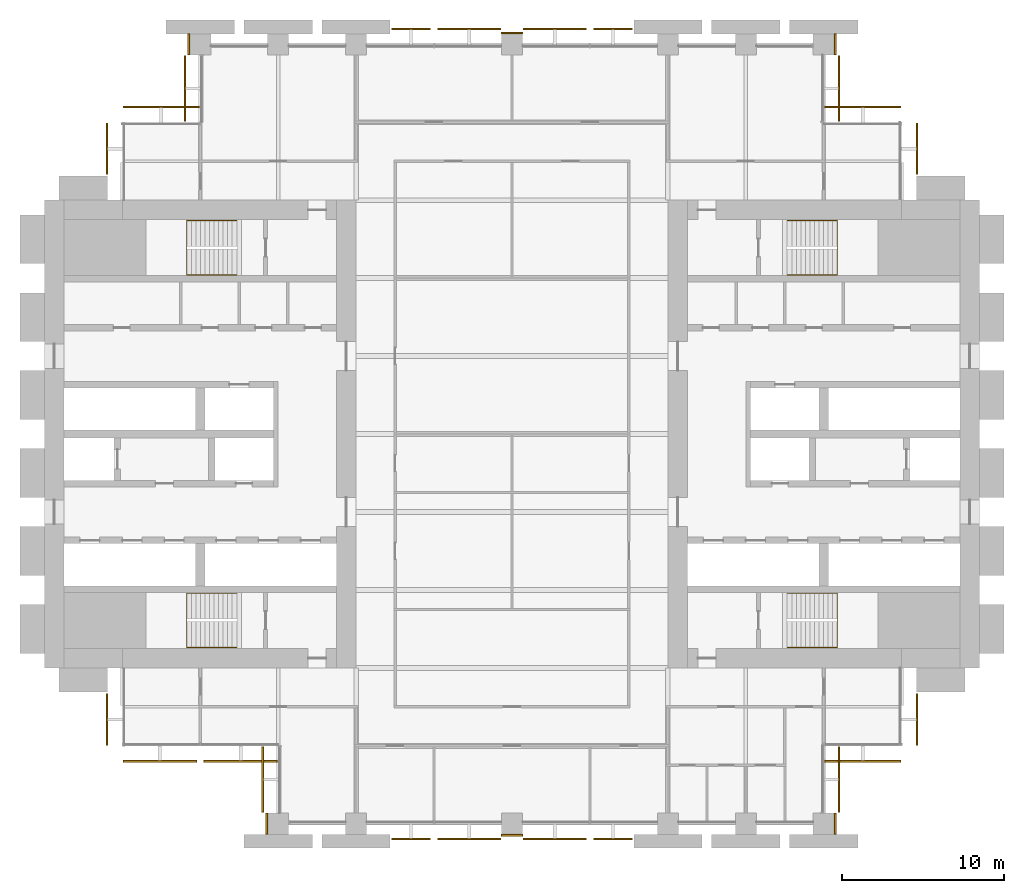
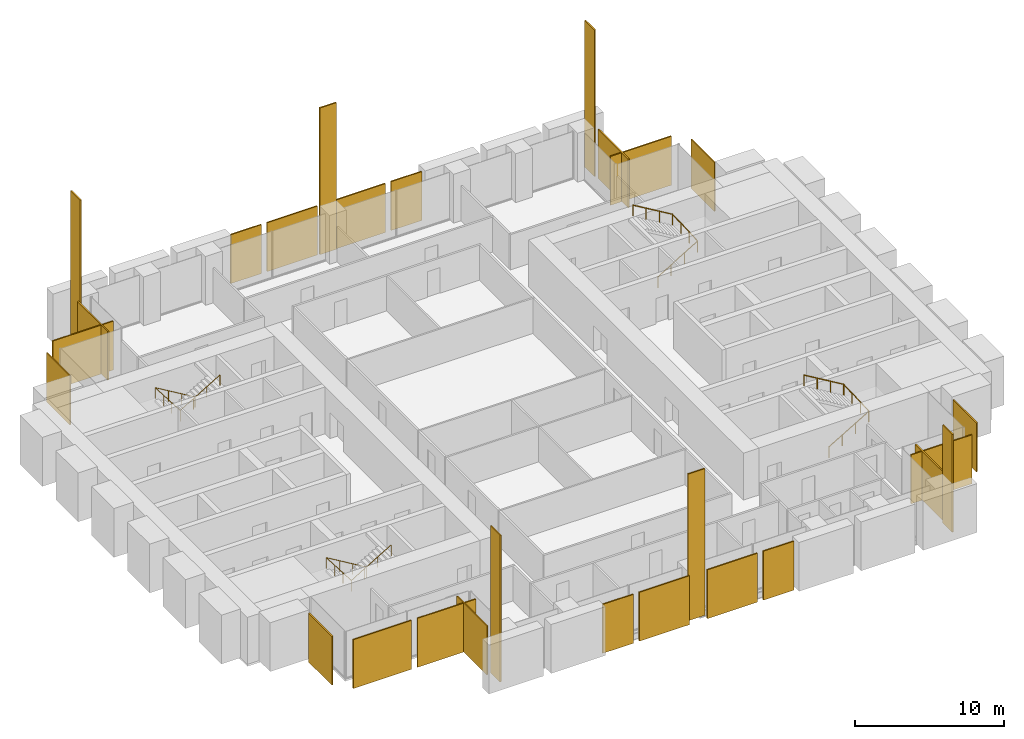
# One storey, part 14 of 14: 27 coverings, 4 railings.
"""IFC4 building model written with IfcOpenShell, lengths in metres."""

from ifc_helpers import new_model, si_unit, direction, frame, origin, origin_2d, place, context, subcontext, project, spatial, polyline, rectangle, circle, outline, extrude, material, layer, layer_set, type_object, element, save


model = new_model("IFC4")

# Units and contexts
model_context = context("Model", 3, precision=1e-05, world=origin(), true_north=direction((0.0, 1.0)))
body_context = subcontext(model_context, "Body", "Model", "MODEL_VIEW")
ifc_project = project(units=[si_unit("LENGTHUNIT", "METRE"), si_unit("AREAUNIT", "SQUARE_METRE"), si_unit("VOLUMEUNIT", "CUBIC_METRE"), si_unit("PLANEANGLEUNIT", "RADIAN"), si_unit("MASSUNIT", "GRAM", prefix="KILO")], contexts=[model_context])

# Site, building, storey
site_placement = place(None, origin())
site = spatial("IfcSite", under=ifc_project, at=site_placement, CompositionType="ELEMENT")
building_placement = place(site_placement, origin())
building = spatial("IfcBuilding", under=site, at=building_placement, Name="Baori Bourse Tower", CompositionType="ELEMENT")
storey_placement = place(building_placement, frame((0.0, 0.0, 51.0)))
storey = spatial("IfcBuildingStorey", under=building, at=storey_placement, Name="L10", CompositionType="ELEMENT", Elevation=51.0)

# Railings
ifc_material_1 = material(Name="Powder-coated steel balustrade", Category="steel")
railing_type = type_object("IfcRailingType", Name="Core stair handrail", PredefinedType="HANDRAIL", material=ifc_material_1)
railing_1_placement = place(storey_placement, frame((11.85009765625, 14.199951171875, 0.166748046875)))
element("IfcRailing", 1, at=railing_1_placement, inside=storey, type_object=railing_type, Name="L10 ST1 stair handrail 1", PredefinedType="HANDRAIL", context=body_context, shape_type="SweptSolid", body=[
    extrude(circle(Radius=0.02392578125, at=origin_2d()), frame((0.0, 0.0, 0.8759765625), z_axis=(-0.859308565015, 0.0, 0.511457515432), x_axis=(0.0, -1.0, 0.0)), (0.0, 0.0, 1.0), 3.58447265625),
    extrude(circle(Radius=0.02392578125, at=origin_2d()), frame((-3.080078125, 0.0, 2.708984375), z_axis=(0.0, -0.998763387249, 0.04971615724), x_axis=(1.0, 0.0, 0.0)), (0.0, 0.0, 1.0), 3.35400390625),
    extrude(circle(Radius=0.02392578125, at=origin_2d()), frame((-3.080078125, -3.349853515625, 2.8759765625), z_axis=(0.859308565015, 0.0, 0.511457515432), x_axis=(0.0, 1.0, 0.0)), (0.0, 0.0, 1.0), 3.58447265625),
    extrude(circle(Radius=0.02099609375, at=origin_2d()), origin(), (0.0, 0.0, 1.0), 0.851806640625),
    extrude(circle(Radius=0.02099609375, at=origin_2d()), frame((-1.026611328125, 0.0, 0.611083984375)), (0.0, 0.0, 1.0), 0.851806640625),
    extrude(circle(Radius=0.02099609375, at=origin_2d()), frame((-2.053466796875, 0.0, 1.22216796875)), (0.0, 0.0, 1.0), 0.851806640625),
    extrude(circle(Radius=0.02099609375, at=origin_2d()), frame((-3.080078125, 0.0, 1.833251953125)), (0.0, 0.0, 1.0), 0.851806640625),
    extrude(circle(Radius=0.02099609375, at=origin_2d()), frame((-3.080078125, -1.11669921875, 1.888916015625)), (0.0, 0.0, 1.0), 0.851806640625),
    extrude(circle(Radius=0.02099609375, at=origin_2d()), frame((-3.080078125, -2.233154296875, 1.9443359375)), (0.0, 0.0, 1.0), 0.851806640625),
    extrude(circle(Radius=0.02099609375, at=origin_2d()), frame((-3.080078125, -3.349853515625, 2.0)), (0.0, 0.0, 1.0), 0.851806640625),
    extrude(circle(Radius=0.02099609375, at=origin_2d()), frame((-2.053466796875, -3.349853515625, 2.611083984375)), (0.0, 0.0, 1.0), 0.851806640625),
    extrude(circle(Radius=0.02099609375, at=origin_2d()), frame((-1.026611328125, -3.349853515625, 3.22216796875)), (0.0, 0.0, 1.0), 0.851806640625),
    extrude(circle(Radius=0.02099609375, at=origin_2d()), frame((0.0, -3.349853515625, 3.833251953125)), (0.0, 0.0, 1.0), 0.851806640625),
])
railing_2_placement = place(storey_placement, frame((11.85009765625, 37.14990234375, 0.166748046875)))
element("IfcRailing", 2, at=railing_2_placement, inside=storey, type_object=railing_type, Name="L10 ST2 stair handrail 1", PredefinedType="HANDRAIL", context=body_context, shape_type="SweptSolid", body=[
    extrude(circle(Radius=0.02392578125, at=origin_2d()), frame((0.0, 0.0, 0.8759765625), z_axis=(-0.859308565015, 0.0, 0.511457515432), x_axis=(0.0, -1.0, 0.0)), (0.0, 0.0, 1.0), 3.58447265625),
    extrude(circle(Radius=0.02392578125, at=origin_2d()), frame((-3.080078125, 0.0, 2.708984375), z_axis=(0.0, -0.998763387249, 0.04971615724), x_axis=(1.0, 0.0, 0.0)), (0.0, 0.0, 1.0), 3.35400390625),
    extrude(circle(Radius=0.02392578125, at=origin_2d()), frame((-3.080078125, -3.349853515625, 2.8759765625), z_axis=(0.859308565015, 0.0, 0.511457515432), x_axis=(0.0, 1.0, 0.0)), (0.0, 0.0, 1.0), 3.58447265625),
    extrude(circle(Radius=0.02099609375, at=origin_2d()), origin(), (0.0, 0.0, 1.0), 0.851806640625),
    extrude(circle(Radius=0.02099609375, at=origin_2d()), frame((-1.026611328125, 0.0, 0.611083984375)), (0.0, 0.0, 1.0), 0.851806640625),
    extrude(circle(Radius=0.02099609375, at=origin_2d()), frame((-2.053466796875, 0.0, 1.22216796875)), (0.0, 0.0, 1.0), 0.851806640625),
    extrude(circle(Radius=0.02099609375, at=origin_2d()), frame((-3.080078125, 0.0, 1.833251953125)), (0.0, 0.0, 1.0), 0.851806640625),
    extrude(circle(Radius=0.02099609375, at=origin_2d()), frame((-3.080078125, -1.11669921875, 1.888916015625)), (0.0, 0.0, 1.0), 0.851806640625),
    extrude(circle(Radius=0.02099609375, at=origin_2d()), frame((-3.080078125, -2.233154296875, 1.9443359375)), (0.0, 0.0, 1.0), 0.851806640625),
    extrude(circle(Radius=0.02099609375, at=origin_2d()), frame((-3.080078125, -3.349853515625, 2.0)), (0.0, 0.0, 1.0), 0.851806640625),
    extrude(circle(Radius=0.02099609375, at=origin_2d()), frame((-2.053466796875, -3.349853515625, 2.611083984375)), (0.0, 0.0, 1.0), 0.851806640625),
    extrude(circle(Radius=0.02099609375, at=origin_2d()), frame((-1.026611328125, -3.349853515625, 3.22216796875)), (0.0, 0.0, 1.0), 0.851806640625),
    extrude(circle(Radius=0.02099609375, at=origin_2d()), frame((0.0, -3.349853515625, 3.833251953125)), (0.0, 0.0, 1.0), 0.851806640625),
])
railing_3_placement = place(storey_placement, frame((45.75, 10.85009765625, 0.166748046875)))
element("IfcRailing", 3, at=railing_3_placement, inside=storey, type_object=railing_type, Name="L10 ST3 stair handrail 1", PredefinedType="HANDRAIL", context=body_context, shape_type="SweptSolid", body=[
    extrude(circle(Radius=0.02392578125, at=origin_2d()), frame((0.0, 0.0, 0.8759765625), z_axis=(0.859308565015, 0.0, 0.511457515432), x_axis=(0.0, 1.0, 0.0)), (0.0, 0.0, 1.0), 3.58447265625),
    extrude(circle(Radius=0.02392578125, at=origin_2d()), frame((3.080078125, 0.0, 2.708984375), z_axis=(0.0, 0.998763387249, 0.04971615724), x_axis=(-1.0, 0.0, 0.0)), (0.0, 0.0, 1.0), 3.35400390625),
    extrude(circle(Radius=0.02392578125, at=origin_2d()), frame((3.080078125, 3.349853515625, 2.8759765625), z_axis=(-0.859308565015, 0.0, 0.511457515432), x_axis=(0.0, -1.0, 0.0)), (0.0, 0.0, 1.0), 3.58447265625),
    extrude(circle(Radius=0.02099609375, at=origin_2d()), origin(), (0.0, 0.0, 1.0), 0.851806640625),
    extrude(circle(Radius=0.02099609375, at=origin_2d()), frame((1.026611328125, 0.0, 0.611083984375)), (0.0, 0.0, 1.0), 0.851806640625),
    extrude(circle(Radius=0.02099609375, at=origin_2d()), frame((2.053466796875, 0.0, 1.22216796875)), (0.0, 0.0, 1.0), 0.851806640625),
    extrude(circle(Radius=0.02099609375, at=origin_2d()), frame((3.080078125, 0.0, 1.833251953125)), (0.0, 0.0, 1.0), 0.851806640625),
    extrude(circle(Radius=0.02099609375, at=origin_2d()), frame((3.080078125, 1.11669921875, 1.888916015625)), (0.0, 0.0, 1.0), 0.851806640625),
    extrude(circle(Radius=0.02099609375, at=origin_2d()), frame((3.080078125, 2.233154296875, 1.9443359375)), (0.0, 0.0, 1.0), 0.851806640625),
    extrude(circle(Radius=0.02099609375, at=origin_2d()), frame((3.080078125, 3.349853515625, 2.0)), (0.0, 0.0, 1.0), 0.851806640625),
    extrude(circle(Radius=0.02099609375, at=origin_2d()), frame((2.053466796875, 3.349853515625, 2.611083984375)), (0.0, 0.0, 1.0), 0.851806640625),
    extrude(circle(Radius=0.02099609375, at=origin_2d()), frame((1.026611328125, 3.349853515625, 3.22216796875)), (0.0, 0.0, 1.0), 0.851806640625),
    extrude(circle(Radius=0.02099609375, at=origin_2d()), frame((0.0, 3.349853515625, 3.833251953125)), (0.0, 0.0, 1.0), 0.851806640625),
])
railing_4_placement = place(storey_placement, frame((45.75, 33.800048828125, 0.166748046875)))
element("IfcRailing", 4, at=railing_4_placement, inside=storey, type_object=railing_type, Name="L10 ST4 stair handrail 1", PredefinedType="HANDRAIL", context=body_context, shape_type="SweptSolid", body=[
    extrude(circle(Radius=0.02392578125, at=origin_2d()), frame((0.0, 0.0, 0.8759765625), z_axis=(0.859308565015, 0.0, 0.511457515432), x_axis=(0.0, 1.0, 0.0)), (0.0, 0.0, 1.0), 3.58447265625),
    extrude(circle(Radius=0.02392578125, at=origin_2d()), frame((3.080078125, 0.0, 2.708984375), z_axis=(0.0, 0.998763387249, 0.04971615724), x_axis=(-1.0, 0.0, 0.0)), (0.0, 0.0, 1.0), 3.35400390625),
    extrude(circle(Radius=0.02392578125, at=origin_2d()), frame((3.080078125, 3.349853515625, 2.8759765625), z_axis=(-0.859308565015, 0.0, 0.511457515432), x_axis=(0.0, -1.0, 0.0)), (0.0, 0.0, 1.0), 3.58447265625),
    extrude(circle(Radius=0.02099609375, at=origin_2d()), origin(), (0.0, 0.0, 1.0), 0.851806640625),
    extrude(circle(Radius=0.02099609375, at=origin_2d()), frame((1.026611328125, 0.0, 0.611083984375)), (0.0, 0.0, 1.0), 0.851806640625),
    extrude(circle(Radius=0.02099609375, at=origin_2d()), frame((2.053466796875, 0.0, 1.22216796875)), (0.0, 0.0, 1.0), 0.851806640625),
    extrude(circle(Radius=0.02099609375, at=origin_2d()), frame((3.080078125, 0.0, 1.833251953125)), (0.0, 0.0, 1.0), 0.851806640625),
    extrude(circle(Radius=0.02099609375, at=origin_2d()), frame((3.080078125, 1.11669921875, 1.888916015625)), (0.0, 0.0, 1.0), 0.851806640625),
    extrude(circle(Radius=0.02099609375, at=origin_2d()), frame((3.080078125, 2.233154296875, 1.9443359375)), (0.0, 0.0, 1.0), 0.851806640625),
    extrude(circle(Radius=0.02099609375, at=origin_2d()), frame((3.080078125, 3.349853515625, 2.0)), (0.0, 0.0, 1.0), 0.851806640625),
    extrude(circle(Radius=0.02099609375, at=origin_2d()), frame((2.053466796875, 3.349853515625, 2.611083984375)), (0.0, 0.0, 1.0), 0.851806640625),
    extrude(circle(Radius=0.02099609375, at=origin_2d()), frame((1.026611328125, 3.349853515625, 3.22216796875)), (0.0, 0.0, 1.0), 0.851806640625),
    extrude(circle(Radius=0.02099609375, at=origin_2d()), frame((0.0, 3.349853515625, 3.833251953125)), (0.0, 0.0, 1.0), 0.851806640625),
])

# Coverings
ifc_material_2 = material(Name="Pale anodised aluminium", Category="aluminium")
ifc_layer_1 = layer(ifc_material_2, 0.10009765625)
ifc_layer_set_1 = layer_set([ifc_layer_1], Name="OS3 Outer skin screen panel")
covering_type_1 = type_object("IfcCoveringType", Name="OS3 Outer skin screen panel", PredefinedType="CLADDING", material=ifc_layer_set_1)
covering_1_placement = place(storey_placement, frame((0.0, 0.0, -0.159912109375)))
element("IfcCovering", 5, at=covering_1_placement, inside=storey, type_object=covering_type_1, Name="Outer skin screen L10 1", PredefinedType="CLADDING", context=body_context, shape_type="SweptSolid", body=[
    extrude(outline(polyline([(53.699951171875, 43.14990234375), (53.699951171875, 40.0), (53.800048828125, 40.0), (53.800048828125, 43.14990234375), (53.699951171875, 43.14990234375)])), origin(), (0.0, 0.0, 1.0), 4.0),
])
covering_2_placement = place(storey_placement, frame((0.0, 0.0, -0.159912109375)))
element("IfcCovering", 6, at=covering_2_placement, inside=storey, type_object=covering_type_1, Name="Outer skin screen L10 2", PredefinedType="CLADDING", context=body_context, shape_type="SweptSolid", body=[
    extrude(outline(polyline([(48.050048828125, 44.10009765625), (52.75, 44.10009765625), (52.75, 44.199951171875), (48.050048828125, 44.199951171875), (48.050048828125, 44.10009765625)])), origin(), (0.0, 0.0, 1.0), 4.0),
])
covering_3_placement = place(storey_placement, frame((0.0, 0.0, -0.159912109375)))
element("IfcCovering", 7, at=covering_3_placement, inside=storey, type_object=covering_type_1, Name="Outer skin screen L10 3", PredefinedType="CLADDING", context=body_context, shape_type="SweptSolid", body=[
    extrude(outline(polyline([(48.89990234375, 47.300048828125), (48.89990234375, 43.25), (49.0, 43.25), (49.0, 47.300048828125), (48.89990234375, 47.300048828125)])), origin(), (0.0, 0.0, 1.0), 4.0),
])
covering_4_placement = place(storey_placement, frame((0.0, 0.0, -0.159912109375)))
element("IfcCovering", 8, at=covering_4_placement, inside=storey, type_object=covering_type_1, Name="Outer skin screen L10 4", PredefinedType="CLADDING", context=body_context, shape_type="SweptSolid", body=[
    extrude(outline(polyline([(33.824951171875, 48.89990234375), (36.199951171875, 48.89990234375), (36.199951171875, 49.0), (33.824951171875, 49.0), (33.824951171875, 48.89990234375)])), origin(), (0.0, 0.0, 1.0), 4.0),
])
covering_5_placement = place(storey_placement, frame((0.0, 0.0, -0.159912109375)))
element("IfcCovering", 9, at=covering_5_placement, inside=storey, type_object=covering_type_1, Name="Outer skin screen L10 5", PredefinedType="CLADDING", context=body_context, shape_type="SweptSolid", body=[
    extrude(outline(polyline([(29.5, 48.89990234375), (33.375, 48.89990234375), (33.375, 49.0), (29.5, 49.0), (29.5, 48.89990234375)])), origin(), (0.0, 0.0, 1.0), 4.0),
])
covering_6_placement = place(storey_placement, frame((0.0, 0.0, -0.159912109375)))
element("IfcCovering", 10, at=covering_6_placement, inside=storey, type_object=covering_type_1, Name="Outer skin screen L10 6", PredefinedType="CLADDING", context=body_context, shape_type="SweptSolid", body=[
    extrude(outline(polyline([(24.22509765625, 48.89990234375), (28.10009765625, 48.89990234375), (28.10009765625, 49.0), (24.22509765625, 49.0), (24.22509765625, 48.89990234375)])), origin(), (0.0, 0.0, 1.0), 4.0),
])
covering_7_placement = place(storey_placement, frame((0.0, 0.0, -0.159912109375)))
element("IfcCovering", 11, at=covering_7_placement, inside=storey, type_object=covering_type_1, Name="Outer skin screen L10 7", PredefinedType="CLADDING", context=body_context, shape_type="SweptSolid", body=[
    extrude(outline(polyline([(21.39990234375, 48.89990234375), (23.77490234375, 48.89990234375), (23.77490234375, 49.0), (21.39990234375, 49.0), (21.39990234375, 48.89990234375)])), origin(), (0.0, 0.0, 1.0), 4.0),
])
covering_8_placement = place(storey_placement, frame((0.0, 0.0, -0.159912109375)))
element("IfcCovering", 12, at=covering_8_placement, inside=storey, type_object=covering_type_1, Name="Outer skin screen L10 8", PredefinedType="CLADDING", context=body_context, shape_type="SweptSolid", body=[
    extrude(outline(polyline([(8.699951171875, 43.25), (8.699951171875, 47.300048828125), (8.60009765625, 47.300048828125), (8.60009765625, 43.25), (8.699951171875, 43.25)])), origin(), (0.0, 0.0, 1.0), 4.0),
])
covering_9_placement = place(storey_placement, frame((0.0, 0.0, -0.159912109375)))
element("IfcCovering", 13, at=covering_9_placement, inside=storey, type_object=covering_type_1, Name="Outer skin screen L10 9", PredefinedType="CLADDING", context=body_context, shape_type="SweptSolid", body=[
    extrude(outline(polyline([(4.85009765625, 44.10009765625), (9.550048828125, 44.10009765625), (9.550048828125, 44.199951171875), (4.85009765625, 44.199951171875), (4.85009765625, 44.10009765625)])), origin(), (0.0, 0.0, 1.0), 4.0),
])
covering_10_placement = place(storey_placement, frame((0.0, 0.0, -0.159912109375)))
element("IfcCovering", 14, at=covering_10_placement, inside=storey, type_object=covering_type_1, Name="Outer skin screen L10 10", PredefinedType="CLADDING", context=body_context, shape_type="SweptSolid", body=[
    extrude(outline(polyline([(3.89990234375, 40.0), (3.89990234375, 43.14990234375), (3.800048828125, 43.14990234375), (3.800048828125, 40.0), (3.89990234375, 40.0), (3.89990234375, 40.0)])), origin(), (0.0, 0.0, 1.0), 4.0),
])
covering_11_placement = place(storey_placement, frame((0.0, 0.0, -0.159912109375)))
element("IfcCovering", 15, at=covering_11_placement, inside=storey, type_object=covering_type_1, Name="Outer skin screen L10 11", PredefinedType="CLADDING", context=body_context, shape_type="SweptSolid", body=[
    extrude(outline(polyline([(3.89990234375, 4.85009765625), (3.89990234375, 8.0), (3.89990234375, 8.0), (3.800048828125, 8.0), (3.800048828125, 4.85009765625), (3.89990234375, 4.85009765625)])), origin(), (0.0, 0.0, 1.0), 4.0),
])
covering_12_placement = place(storey_placement, frame((0.0, 0.0, -0.159912109375)))
element("IfcCovering", 16, at=covering_12_placement, inside=storey, type_object=covering_type_1, Name="Outer skin screen L10 12", PredefinedType="CLADDING", context=body_context, shape_type="SweptSolid", body=[
    extrude(outline(polyline([(9.375, 3.89990234375), (4.85009765625, 3.89990234375), (4.85009765625, 3.800048828125), (9.375, 3.800048828125), (9.375, 3.89990234375)])), origin(), (0.0, 0.0, 1.0), 4.0),
])
covering_13_placement = place(storey_placement, frame((0.0, 0.0, -0.159912109375)))
element("IfcCovering", 17, at=covering_13_placement, inside=storey, type_object=covering_type_1, Name="Outer skin screen L10 13", PredefinedType="CLADDING", context=body_context, shape_type="SweptSolid", body=[
    extrude(outline(polyline([(14.35009765625, 3.89990234375), (9.824951171875, 3.89990234375), (9.824951171875, 3.800048828125), (14.35009765625, 3.800048828125), (14.35009765625, 3.89990234375)])), origin(), (0.0, 0.0, 1.0), 4.0),
])
covering_14_placement = place(storey_placement, frame((0.0, 0.0, -0.159912109375)))
element("IfcCovering", 18, at=covering_14_placement, inside=storey, type_object=covering_type_1, Name="Outer skin screen L10 14", PredefinedType="CLADDING", context=body_context, shape_type="SweptSolid", body=[
    extrude(outline(polyline([(13.5, 0.699951171875), (13.5, 4.75), (13.39990234375, 4.75), (13.39990234375, 0.699951171875), (13.5, 0.699951171875)])), origin(), (0.0, 0.0, 1.0), 4.0),
])
covering_15_placement = place(storey_placement, frame((0.0, 0.0, -0.159912109375)))
element("IfcCovering", 19, at=covering_15_placement, inside=storey, type_object=covering_type_1, Name="Outer skin screen L10 15", PredefinedType="CLADDING", context=body_context, shape_type="SweptSolid", body=[
    extrude(outline(polyline([(23.77490234375, -0.89990234375), (21.39990234375, -0.89990234375), (21.39990234375, -1.0), (23.77490234375, -1.0), (23.77490234375, -0.89990234375)])), origin(), (0.0, 0.0, 1.0), 4.0),
])
covering_16_placement = place(storey_placement, frame((0.0, 0.0, -0.159912109375)))
element("IfcCovering", 20, at=covering_16_placement, inside=storey, type_object=covering_type_1, Name="Outer skin screen L10 16", PredefinedType="CLADDING", context=body_context, shape_type="SweptSolid", body=[
    extrude(outline(polyline([(28.10009765625, -0.89990234375), (24.22509765625, -0.89990234375), (24.22509765625, -1.0), (28.10009765625, -1.0), (28.10009765625, -0.89990234375)])), origin(), (0.0, 0.0, 1.0), 4.0),
])
covering_17_placement = place(storey_placement, frame((0.0, 0.0, -0.159912109375)))
element("IfcCovering", 21, at=covering_17_placement, inside=storey, type_object=covering_type_1, Name="Outer skin screen L10 17", PredefinedType="CLADDING", context=body_context, shape_type="SweptSolid", body=[
    extrude(outline(polyline([(33.375, -0.89990234375), (29.5, -0.89990234375), (29.5, -1.0), (33.375, -1.0), (33.375, -0.89990234375)])), origin(), (0.0, 0.0, 1.0), 4.0),
])
covering_18_placement = place(storey_placement, frame((0.0, 0.0, -0.159912109375)))
element("IfcCovering", 22, at=covering_18_placement, inside=storey, type_object=covering_type_1, Name="Outer skin screen L10 18", PredefinedType="CLADDING", context=body_context, shape_type="SweptSolid", body=[
    extrude(outline(polyline([(36.199951171875, -0.89990234375), (33.824951171875, -0.89990234375), (33.824951171875, -1.0), (36.199951171875, -1.0), (36.199951171875, -0.89990234375)])), origin(), (0.0, 0.0, 1.0), 4.0),
])
covering_19_placement = place(storey_placement, frame((0.0, 0.0, -0.159912109375)))
element("IfcCovering", 23, at=covering_19_placement, inside=storey, type_object=covering_type_1, Name="Outer skin screen L10 19", PredefinedType="CLADDING", context=body_context, shape_type="SweptSolid", body=[
    extrude(outline(polyline([(48.89990234375, 4.75), (48.89990234375, 0.699951171875), (49.0, 0.699951171875), (49.0, 4.75), (48.89990234375, 4.75)])), origin(), (0.0, 0.0, 1.0), 4.0),
])
covering_20_placement = place(storey_placement, frame((0.0, 0.0, -0.159912109375)))
element("IfcCovering", 24, at=covering_20_placement, inside=storey, type_object=covering_type_1, Name="Outer skin screen L10 20", PredefinedType="CLADDING", context=body_context, shape_type="SweptSolid", body=[
    extrude(outline(polyline([(52.75, 3.89990234375), (48.050048828125, 3.89990234375), (48.050048828125, 3.800048828125), (52.75, 3.800048828125), (52.75, 3.89990234375)])), origin(), (0.0, 0.0, 1.0), 4.0),
])
covering_21_placement = place(storey_placement, frame((0.0, 0.0, -0.159912109375)))
element("IfcCovering", 25, at=covering_21_placement, inside=storey, type_object=covering_type_1, Name="Outer skin screen L10 21", PredefinedType="CLADDING", context=body_context, shape_type="SweptSolid", body=[
    extrude(outline(polyline([(53.699951171875, 8.0), (53.699951171875, 4.85009765625), (53.800048828125, 4.85009765625), (53.800048828125, 8.0), (53.699951171875, 8.0)])), origin(), (0.0, 0.0, 1.0), 4.0),
])
ifc_material_3 = material(Name="Face brick", Category="masonry")
ifc_layer_2 = layer(ifc_material_3, 0.110107421875)
ifc_layer_set_2 = layer_set([ifc_layer_2], Name="PC1 Brick pier facing")
covering_type_2 = type_object("IfcCoveringType", Name="PC1 Brick pier facing", PredefinedType="CLADDING", material=ifc_layer_set_2)
covering_22_placement = place(storey_placement, frame((13.695068359375, 0.0, 0.0), z_axis=(0.0, 0.0, 1.0), x_axis=(1.0, 0.0, 0.0)))
element("IfcCovering", 26, at=covering_22_placement, inside=storey, type_object=covering_type_2, Name="Brick pier facing L10 1", PredefinedType="CLADDING", context=body_context, shape_type="SweptSolid", body=[
    extrude(rectangle(XDim=0.110107421875, YDim=1.300048828125, at=origin_2d()), origin(), (0.0, 0.0, 1.0), 12.0),
])
covering_23_placement = place(storey_placement, frame((28.800048828125, -0.705078125, 0.0), z_axis=(0.0, 0.0, 1.0), x_axis=(1.0, 0.0, 0.0)))
element("IfcCovering", 27, at=covering_23_placement, inside=storey, type_object=covering_type_2, Name="Brick pier facing L10 2", PredefinedType="CLADDING", context=body_context, shape_type="SweptSolid", body=[
    extrude(rectangle(XDim=1.300048828125, YDim=0.110107421875, at=origin_2d()), origin(), (0.0, 0.0, 1.0), 12.0),
])
covering_24_placement = place(storey_placement, frame((48.705078125, 0.0, 0.0), z_axis=(0.0, 0.0, 1.0), x_axis=(1.0, 0.0, 0.0)))
element("IfcCovering", 28, at=covering_24_placement, inside=storey, type_object=covering_type_2, Name="Brick pier facing L10 3", PredefinedType="CLADDING", context=body_context, shape_type="SweptSolid", body=[
    extrude(rectangle(XDim=0.110107421875, YDim=1.300048828125, at=origin_2d()), origin(), (0.0, 0.0, 1.0), 8.0),
])
covering_25_placement = place(storey_placement, frame((8.89501953125, 48.0, 0.0), z_axis=(0.0, 0.0, 1.0), x_axis=(1.0, 0.0, 0.0)))
element("IfcCovering", 29, at=covering_25_placement, inside=storey, type_object=covering_type_2, Name="Brick pier facing L10 4", PredefinedType="CLADDING", context=body_context, shape_type="SweptSolid", body=[
    extrude(rectangle(XDim=0.110107421875, YDim=1.300048828125, at=origin_2d()), origin(), (0.0, 0.0, 1.0), 12.0),
])
covering_26_placement = place(storey_placement, frame((28.800048828125, 48.705078125, 0.0), z_axis=(0.0, 0.0, 1.0), x_axis=(1.0, 0.0, 0.0)))
element("IfcCovering", 30, at=covering_26_placement, inside=storey, type_object=covering_type_2, Name="Brick pier facing L10 5", PredefinedType="CLADDING", context=body_context, shape_type="SweptSolid", body=[
    extrude(rectangle(XDim=1.300048828125, YDim=0.110107421875, at=origin_2d()), origin(), (0.0, 0.0, 1.0), 12.0),
])
covering_27_placement = place(storey_placement, frame((48.705078125, 48.0, 0.0), z_axis=(0.0, 0.0, 1.0), x_axis=(1.0, 0.0, 0.0)))
element("IfcCovering", 31, at=covering_27_placement, inside=storey, type_object=covering_type_2, Name="Brick pier facing L10 6", PredefinedType="CLADDING", context=body_context, shape_type="SweptSolid", body=[
    extrude(rectangle(XDim=0.110107421875, YDim=1.300048828125, at=origin_2d()), origin(), (0.0, 0.0, 1.0), 12.0),
])

save(model, "model.ifc")
